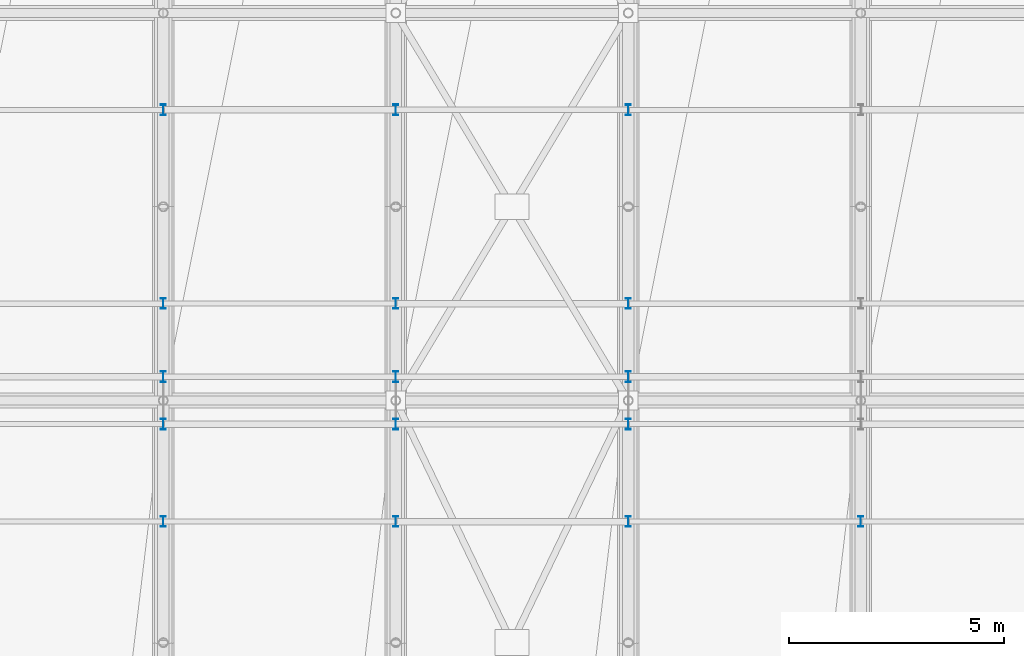
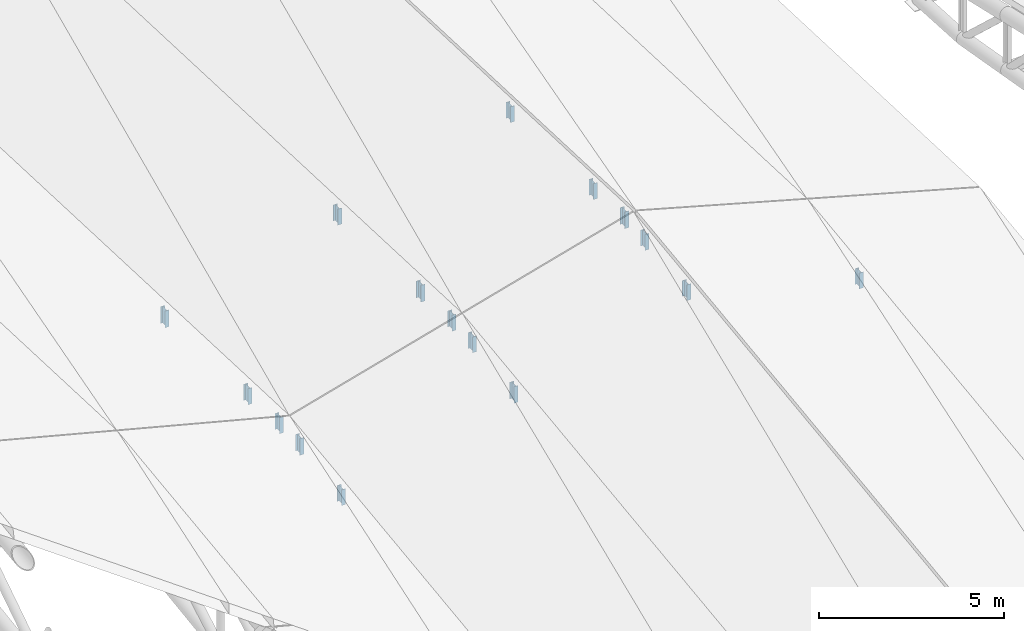
# One storey, part 87 of 109: 16 members.
"""IFC4 building model written with IfcOpenShell, lengths in metres."""

from ifc_helpers import new_model, si_unit, direction, frame, origin, origin_2d, place, context, subcontext, project, spatial, i_section, extrude, material, material_profile, profile_set, type_object, element, save


model = new_model("IFC4")

# Units and contexts
model_context = context("Model", 3, precision=1e-05, world=origin(), true_north=direction((0.0, 1.0)))
body_context = subcontext(model_context, "Body", "Model", "MODEL_VIEW")
ifc_project = project(units=[si_unit("LENGTHUNIT", "METRE"), si_unit("AREAUNIT", "SQUARE_METRE"), si_unit("VOLUMEUNIT", "CUBIC_METRE"), si_unit("PLANEANGLEUNIT", "RADIAN"), si_unit("MASSUNIT", "GRAM", prefix="KILO")], contexts=[model_context])

# Site, building, storey
site_placement = place(None, origin())
site = spatial("IfcSite", under=ifc_project, at=site_placement, CompositionType="ELEMENT")
building_placement = place(site_placement, origin())
building = spatial("IfcBuilding", under=site, at=building_placement, Name="Suirenkawa Promenade Aquatics Centre", CompositionType="ELEMENT")
storey_placement = place(building_placement, frame((0.0, 0.0, 22.800048828125)))
storey = spatial("IfcBuildingStorey", under=building, at=storey_placement, Name="ROOF", CompositionType="ELEMENT", Elevation=22.800048828125)

# Members
ifc_material = material(Name="Steel IS 2062 E350 (Grade 350)", Category="steel")
ifc_material_profile = material_profile(ifc_material, i_section(OverallWidth=0.125, OverallDepth=0.25, WebThickness=0.007080078125, FlangeThickness=0.012939453125, at=origin_2d()), Name="ISMB 250", Category="steel")
ifc_profile_set = profile_set([ifc_material_profile], Name="Steel IS 2062 E350 (Grade 350)")
member_type = type_object("IfcMemberType", Name="MT-WEB-CHS168", PredefinedType="BRACE", material=ifc_profile_set)
member_1_placement = place(storey_placement, frame((133.199951171875, 92.587890625, -9.781982421875), z_axis=(0.0, 0.0, 1.0), x_axis=(1.0, 0.0, 0.0)))
element("IfcMember", 1, at=member_1_placement, inside=storey, type_object=member_type, Name="ROOF TRUSS Purlin cleat post TD-03 MB-2244", PredefinedType="BRACE", context=body_context, shape_type="SweptSolid", body=[
    extrude(i_section(OverallWidth=0.125, OverallDepth=0.25, WebThickness=0.007080078125, FlangeThickness=0.012939453125, at=origin_2d()), origin(), (0.0, 0.0, 1.0), 0.52099609375),
])
member_2_placement = place(storey_placement, frame((133.199951171875, 94.85009765625, -9.490966796875), z_axis=(0.0, 0.0, 1.0), x_axis=(1.0, 0.0, 0.0)))
element("IfcMember", 2, at=member_2_placement, inside=storey, type_object=member_type, Name="ROOF TRUSS Purlin cleat post TD-03 MB-2246", PredefinedType="BRACE", context=body_context, shape_type="SweptSolid", body=[
    extrude(i_section(OverallWidth=0.125, OverallDepth=0.25, WebThickness=0.007080078125, FlangeThickness=0.012939453125, at=origin_2d()), origin(), (0.0, 0.0, 1.0), 0.5458984375),
])
member_3_placement = place(storey_placement, frame((133.199951171875, 95.949951171875, -9.442138671875), z_axis=(0.0, 0.0, 1.0), x_axis=(1.0, 0.0, 0.0)))
element("IfcMember", 3, at=member_3_placement, inside=storey, type_object=member_type, Name="ROOF TRUSS Purlin cleat post TD-03 MB-2248", PredefinedType="BRACE", context=body_context, shape_type="SweptSolid", body=[
    extrude(i_section(OverallWidth=0.125, OverallDepth=0.25, WebThickness=0.007080078125, FlangeThickness=0.012939453125, at=origin_2d()), origin(), (0.0, 0.0, 1.0), 0.527099609375),
])
member_4_placement = place(storey_placement, frame((133.199951171875, 97.64990234375, -9.511962890625), z_axis=(0.0, 0.0, 1.0), x_axis=(1.0, 0.0, 0.0)))
element("IfcMember", 4, at=member_4_placement, inside=storey, type_object=member_type, Name="ROOF TRUSS Purlin cleat post TD-03 MB-2250", PredefinedType="BRACE", context=body_context, shape_type="SweptSolid", body=[
    extrude(i_section(OverallWidth=0.125, OverallDepth=0.25, WebThickness=0.007080078125, FlangeThickness=0.012939453125, at=origin_2d()), origin(), (0.0, 0.0, 1.0), 0.52880859375),
])
member_5_placement = place(storey_placement, frame((133.199951171875, 102.14990234375, -9.695068359375), z_axis=(0.0, 0.0, 1.0), x_axis=(1.0, 0.0, 0.0)))
element("IfcMember", 5, at=member_5_placement, inside=storey, type_object=member_type, Name="ROOF TRUSS Purlin cleat post TD-03 MB-2252", PredefinedType="BRACE", context=body_context, shape_type="SweptSolid", body=[
    extrude(i_section(OverallWidth=0.125, OverallDepth=0.25, WebThickness=0.007080078125, FlangeThickness=0.012939453125, at=origin_2d()), origin(), (0.0, 0.0, 1.0), 0.552978515625),
])
member_6_placement = place(storey_placement, frame((138.60009765625, 92.587890625, -8.281982421875), z_axis=(0.0, 0.0, 1.0), x_axis=(1.0, 0.0, 0.0)))
element("IfcMember", 6, at=member_6_placement, inside=storey, type_object=member_type, Name="ROOF TRUSS Purlin cleat post TD-03 MB-2280", PredefinedType="BRACE", context=body_context, shape_type="SweptSolid", body=[
    extrude(i_section(OverallWidth=0.125, OverallDepth=0.25, WebThickness=0.007080078125, FlangeThickness=0.012939453125, at=origin_2d()), origin(), (0.0, 0.0, 1.0), 0.5458984375),
])
member_7_placement = place(storey_placement, frame((138.60009765625, 94.85009765625, -7.990966796875), z_axis=(0.0, 0.0, 1.0), x_axis=(1.0, 0.0, 0.0)))
element("IfcMember", 7, at=member_7_placement, inside=storey, type_object=member_type, Name="ROOF TRUSS Purlin cleat post TD-03 MB-2282", PredefinedType="BRACE", context=body_context, shape_type="SweptSolid", body=[
    extrude(i_section(OverallWidth=0.125, OverallDepth=0.25, WebThickness=0.007080078125, FlangeThickness=0.012939453125, at=origin_2d()), origin(), (0.0, 0.0, 1.0), 0.52001953125),
])
member_8_placement = place(storey_placement, frame((138.60009765625, 95.949951171875, -7.942138671875), z_axis=(0.0, 0.0, 1.0), x_axis=(1.0, 0.0, 0.0)))
element("IfcMember", 8, at=member_8_placement, inside=storey, type_object=member_type, Name="ROOF TRUSS Purlin cleat post TD-03 MB-2284", PredefinedType="BRACE", context=body_context, shape_type="SweptSolid", body=[
    extrude(i_section(OverallWidth=0.125, OverallDepth=0.25, WebThickness=0.007080078125, FlangeThickness=0.012939453125, at=origin_2d()), origin(), (0.0, 0.0, 1.0), 0.528076171875),
])
member_9_placement = place(storey_placement, frame((138.60009765625, 97.64990234375, -8.011962890625), z_axis=(0.0, 0.0, 1.0), x_axis=(1.0, 0.0, 0.0)))
element("IfcMember", 9, at=member_9_placement, inside=storey, type_object=member_type, Name="ROOF TRUSS Purlin cleat post TD-03 MB-2286", PredefinedType="BRACE", context=body_context, shape_type="SweptSolid", body=[
    extrude(i_section(OverallWidth=0.125, OverallDepth=0.25, WebThickness=0.007080078125, FlangeThickness=0.012939453125, at=origin_2d()), origin(), (0.0, 0.0, 1.0), 0.553955078125),
])
member_10_placement = place(storey_placement, frame((138.60009765625, 102.14990234375, -8.195068359375), z_axis=(0.0, 0.0, 1.0), x_axis=(1.0, 0.0, 0.0)))
element("IfcMember", 10, at=member_10_placement, inside=storey, type_object=member_type, Name="ROOF TRUSS Purlin cleat post TD-03 MB-2288", PredefinedType="BRACE", context=body_context, shape_type="SweptSolid", body=[
    extrude(i_section(OverallWidth=0.125, OverallDepth=0.25, WebThickness=0.007080078125, FlangeThickness=0.012939453125, at=origin_2d()), origin(), (0.0, 0.0, 1.0), 0.528076171875),
])
member_11_placement = place(storey_placement, frame((144.0, 92.587890625, -6.781982421875), z_axis=(0.0, 0.0, 1.0), x_axis=(1.0, 0.0, 0.0)))
element("IfcMember", 11, at=member_11_placement, inside=storey, type_object=member_type, Name="ROOF TRUSS Purlin cleat post TD-03 MB-2316", PredefinedType="BRACE", context=body_context, shape_type="SweptSolid", body=[
    extrude(i_section(OverallWidth=0.125, OverallDepth=0.25, WebThickness=0.007080078125, FlangeThickness=0.012939453125, at=origin_2d()), origin(), (0.0, 0.0, 1.0), 0.51904296875),
])
member_12_placement = place(storey_placement, frame((144.0, 94.85009765625, -6.490966796875), z_axis=(0.0, 0.0, 1.0), x_axis=(1.0, 0.0, 0.0)))
element("IfcMember", 12, at=member_12_placement, inside=storey, type_object=member_type, Name="ROOF TRUSS Purlin cleat post TD-03 MB-2318", PredefinedType="BRACE", context=body_context, shape_type="SweptSolid", body=[
    extrude(i_section(OverallWidth=0.125, OverallDepth=0.25, WebThickness=0.007080078125, FlangeThickness=0.012939453125, at=origin_2d()), origin(), (0.0, 0.0, 1.0), 0.52099609375),
])
member_13_placement = place(storey_placement, frame((144.0, 95.949951171875, -6.442138671875), z_axis=(0.0, 0.0, 1.0), x_axis=(1.0, 0.0, 0.0)))
element("IfcMember", 13, at=member_13_placement, inside=storey, type_object=member_type, Name="ROOF TRUSS Purlin cleat post TD-03 MB-2320", PredefinedType="BRACE", context=body_context, shape_type="SweptSolid", body=[
    extrude(i_section(OverallWidth=0.125, OverallDepth=0.25, WebThickness=0.007080078125, FlangeThickness=0.012939453125, at=origin_2d()), origin(), (0.0, 0.0, 1.0), 0.552978515625),
])
member_14_placement = place(storey_placement, frame((144.0, 97.64990234375, -6.511962890625), z_axis=(0.0, 0.0, 1.0), x_axis=(1.0, 0.0, 0.0)))
element("IfcMember", 14, at=member_14_placement, inside=storey, type_object=member_type, Name="ROOF TRUSS Purlin cleat post TD-03 MB-2322", PredefinedType="BRACE", context=body_context, shape_type="SweptSolid", body=[
    extrude(i_section(OverallWidth=0.125, OverallDepth=0.25, WebThickness=0.007080078125, FlangeThickness=0.012939453125, at=origin_2d()), origin(), (0.0, 0.0, 1.0), 0.52783203125),
])
member_15_placement = place(storey_placement, frame((144.0, 102.14990234375, -6.695068359375), z_axis=(0.0, 0.0, 1.0), x_axis=(1.0, 0.0, 0.0)))
element("IfcMember", 15, at=member_15_placement, inside=storey, type_object=member_type, Name="ROOF TRUSS Purlin cleat post TD-03 MB-2324", PredefinedType="BRACE", context=body_context, shape_type="SweptSolid", body=[
    extrude(i_section(OverallWidth=0.125, OverallDepth=0.25, WebThickness=0.007080078125, FlangeThickness=0.012939453125, at=origin_2d()), origin(), (0.0, 0.0, 1.0), 0.528076171875),
])
member_16_placement = place(storey_placement, frame((149.39990234375, 92.587890625, -8.281982421875), z_axis=(0.0, 0.0, 1.0), x_axis=(1.0, 0.0, 0.0)))
element("IfcMember", 16, at=member_16_placement, inside=storey, type_object=member_type, Name="ROOF TRUSS Purlin cleat post TD-03 MB-2352", PredefinedType="BRACE", context=body_context, shape_type="SweptSolid", body=[
    extrude(i_section(OverallWidth=0.125, OverallDepth=0.25, WebThickness=0.007080078125, FlangeThickness=0.012939453125, at=origin_2d()), origin(), (0.0, 0.0, 1.0), 0.52099609375),
])

save(model, "model.ifc")
